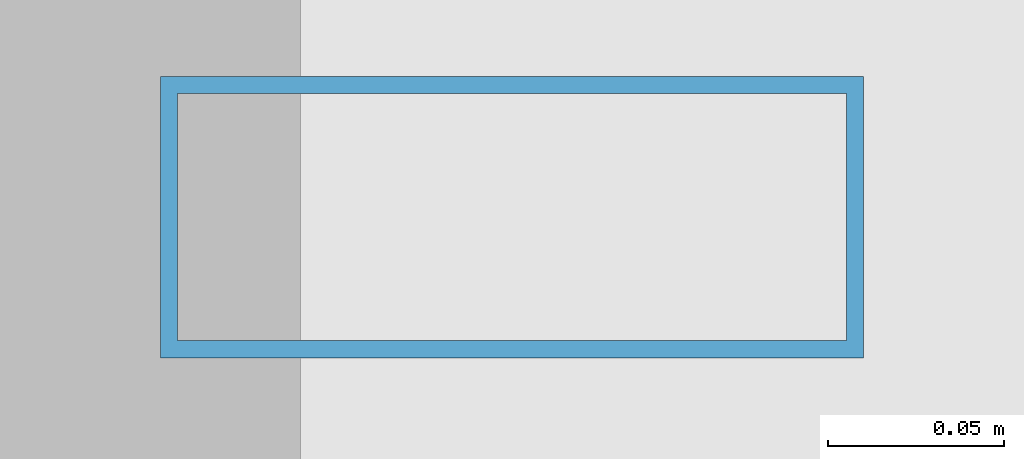
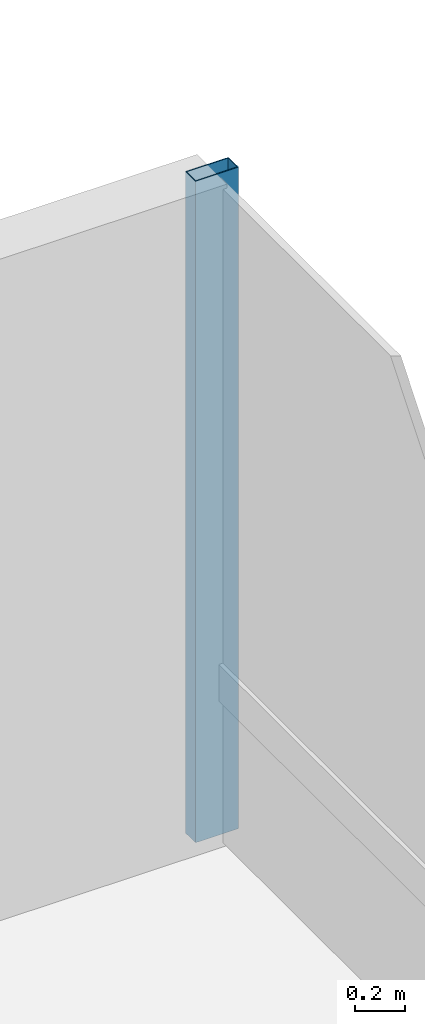
# One storey, part 26 of 35: 1 member, 1 element without a shape of its own.
"""IFC4 building model written with IfcOpenShell, lengths in metres."""

from ifc_helpers import new_model, si_unit, direction, frame, origin, origin_2d, place, context, subcontext, project, spatial, hollow_rectangle, extrude, material, layer, layer_set, material_profile, profile_set, type_object, element, aggregate, save


model = new_model("IFC4")

# Units and contexts
model_context = context("Model", 3, precision=1e-05, world=origin(), true_north=direction((0.0, 1.0)))
body_context = subcontext(model_context, "Body", "Model", "MODEL_VIEW")
ifc_project = project(units=[si_unit("LENGTHUNIT", "METRE"), si_unit("AREAUNIT", "SQUARE_METRE"), si_unit("VOLUMEUNIT", "CUBIC_METRE"), si_unit("PLANEANGLEUNIT", "RADIAN"), si_unit("MASSUNIT", "GRAM", prefix="KILO")], contexts=[model_context])

# Site, building, storey
site_placement = place(None, origin())
site = spatial("IfcSite", under=ifc_project, at=site_placement, CompositionType="ELEMENT")
building_placement = place(site_placement, origin())
building = spatial("IfcBuilding", under=site, at=building_placement, Name="Drelvath Grand Hotel", CompositionType="ELEMENT")
storey_placement = place(building_placement, frame((0.0, 0.0, 98.800048828125)))
storey = spatial("IfcBuildingStorey", under=building, at=storey_placement, Name="L24", CompositionType="ELEMENT", Elevation=98.800048828125)

# Curtain wall, member
ifc_material = material(Name="Champagne Bronze Anodised Aluminium Frame", Category="aluminium")
ifc_layer = layer(ifc_material, 0.199951171875)
ifc_layer_set = layer_set([ifc_layer], Name="Champagne Bronze Anodised Aluminium Frame")
curtain_wall_type = type_object("IfcCurtainWallType", Name="Stick Curtain Wall CW-03 Champagne Bronze Mid-Rise", PredefinedType="NOTDEFINED", material=ifc_layer_set)
curtain_wall_placement = place(storey_placement, origin())
curtain_wall = element("IfcCurtainWall", 1, at=curtain_wall_placement, inside=storey, type_object=curtain_wall_type, Name="L24 CW-03 Curtain Wall CW03-L24-EN3", PredefinedType="NOTDEFINED")
ifc_material_profile = material_profile(ifc_material, hollow_rectangle(XDim=0.080078125, YDim=0.199951171875, WallThickness=0.0048828125, at=origin_2d()), Name="HSS200X80X5")
ifc_profile_set = profile_set([ifc_material_profile], Name="Champagne Bronze Anodised Aluminium Frame")
member_type = type_object("IfcMemberType", Name="Curtain Wall Vertical Mullion CW-03 HSS200X80X5", PredefinedType="MULLION", material=ifc_profile_set)
member_placement = place(storey_placement, frame((22.080078125, 49.5, 0.0), z_axis=(0.0, 0.0, 1.0), x_axis=(0.0, 1.0, 0.0)))
member = element("IfcMember", 2, at=member_placement, type_object=member_type, Name="CW03-L24-EN3 Mullion 1", PredefinedType="MULLION", context=body_context, shape_type="SweptSolid", body=[
    extrude(hollow_rectangle(XDim=0.080078125, YDim=0.199951171875, WallThickness=0.0048828125, at=origin_2d()), origin(), (0.0, 0.0, 1.0), 3.239990234375),
])
aggregate(curtain_wall, [member])

save(model, "model.ifc")
